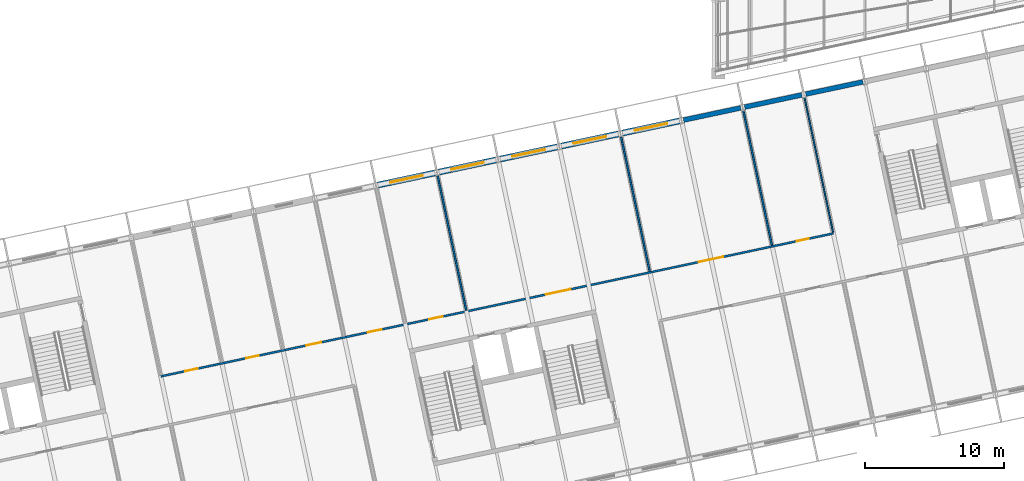
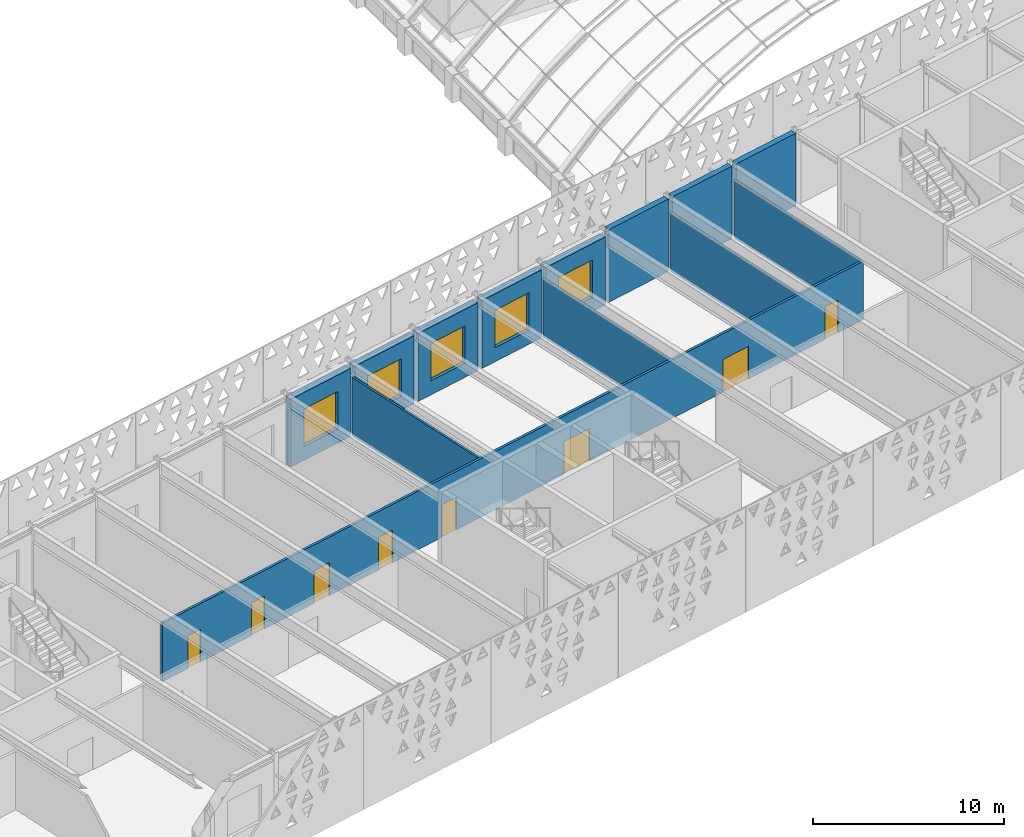
# One storey, part 131 of 182: 13 walls, 8 doors, 5 windows, 13 openings.
"""IFC4 building model written with IfcOpenShell, lengths in metres."""

from ifc_helpers import new_model, si_unit, direction, frame, frame_2d, origin, place, context, subcontext, project, spatial, rectangle, extrude, material, layer, layer_set, type_object, element, fill, save


model = new_model("IFC4")

# Units and contexts
model_context = context("Model", 3, precision=1e-05, world=origin(), true_north=direction((0.0, 1.0)))
body_context = subcontext(model_context, "Body", "Model", "MODEL_VIEW")
ifc_project = project(units=[si_unit("LENGTHUNIT", "METRE"), si_unit("AREAUNIT", "SQUARE_METRE"), si_unit("VOLUMEUNIT", "CUBIC_METRE"), si_unit("PLANEANGLEUNIT", "RADIAN"), si_unit("MASSUNIT", "GRAM", prefix="KILO")], contexts=[model_context])

# Site, building, storey
site_placement = place(None, origin())
site = spatial("IfcSite", under=ifc_project, at=site_placement, CompositionType="ELEMENT")
building_placement = place(site_placement, origin())
building = spatial("IfcBuilding", under=site, at=building_placement, Name="Okhra Congress Centre", CompositionType="ELEMENT")
storey_placement = place(building_placement, frame((0.0, 0.0, 7.199951171875)))
storey = spatial("IfcBuildingStorey", under=building, at=storey_placement, Name="L01", CompositionType="ELEMENT", Elevation=7.199951171875)

# Wall, opening, window
ifc_material_1 = material(Name="Insulated metal panel on steel stud (mineral wool, vapour barrier)", Category="steel")
ifc_layer_1 = layer(ifc_material_1, 0.449951171875)
ifc_layer_set_1 = layer_set([ifc_layer_1], Name="Insulated wall 450")
wall_type_1 = type_object("IfcWallType", Name="Insulated wall 450", PredefinedType="SOLIDWALL", material=ifc_layer_set_1)
wall_1_placement = place(storey_placement, frame((130.99609375, 66.22119140625, 0.0), z_axis=(0.0, 0.0, 1.0), x_axis=(0.978143927149, 0.207928972925, 0.0)))
wall_1 = element("IfcWall", 1, at=wall_1_placement, inside=storey, type_object=wall_type_1, Name="External wall N18 L01", PredefinedType="SOLIDWALL", context=body_context, shape_type="SweptSolid", body=[
    extrude(rectangle(XDim=4.199951171875, YDim=0.449951171875, at=frame_2d((2.10009765625, 0.0))), origin(), (0.0, 0.0, 1.0), 4.35009765625),
])
opening_1_placement = place(wall_1_placement, frame((0.89990234375, 0.0, 0.89990234375)))
opening_1 = element("IfcOpeningElement", 2, at=opening_1_placement, cuts=wall_1, Name="Opening WN22", PredefinedType="OPENING", context=body_context, shape_type="SweptSolid", body=[
    extrude(rectangle(XDim=2.39990234375, YDim=2.39990234375, at=frame_2d((1.199951171875, 1.199951171875))), frame((0.0, 0.23486328125, 0.0), z_axis=(0.0, -1.0, 0.0), x_axis=(1.0, 0.0, 0.0)), (0.0, 0.0, 1.0), 0.469970703125),
])
ifc_material_2 = material(Name="Thermally broken aluminium frame, triple glazing", Category="aluminium")
window_type = type_object("IfcWindowType", Name="Fixed window 2400x2400", PartitioningType="SINGLE_PANEL", PredefinedType="WINDOW", material=ifc_material_2)
window_1_placement = place(opening_1_placement, origin())
window_1 = element("IfcWindow", 3, at=window_1_placement, inside=storey, type_object=window_type, Name="BX.WIN.L01.54", OverallHeight=2.39990234375, OverallWidth=2.39990234375, PartitioningType="SINGLE_PANEL", PredefinedType="WINDOW", context=body_context, shape_type="SweptSolid", body=[
    extrude(rectangle(XDim=2.39990234375, YDim=2.39990234375, at=frame_2d((1.199951171875, 1.199951171875))), frame((0.0, 0.030029296875, 0.0), z_axis=(0.0, -1.0, 0.0), x_axis=(1.0, 0.0, 0.0)), (0.0, 0.0, 1.0), 0.06005859375),
])
fill(opening_1, window_1)

wall_2_placement = place(storey_placement, frame((135.397705078125, 67.15673828125, 0.0), z_axis=(0.0, 0.0, 1.0), x_axis=(0.978146440129, 0.207917150959, 0.0)))
wall_2 = element("IfcWall", 4, at=wall_2_placement, inside=storey, type_object=wall_type_1, Name="External wall N19 L01", PredefinedType="SOLIDWALL", context=body_context, shape_type="SweptSolid", body=[
    extrude(rectangle(XDim=4.2001953125, YDim=0.449951171875, at=frame_2d((2.10009765625, 0.0))), origin(), (0.0, 0.0, 1.0), 4.35009765625),
])
opening_2_placement = place(wall_2_placement, frame((0.89990234375, 0.0, 0.89990234375)))
opening_2 = element("IfcOpeningElement", 5, at=opening_2_placement, cuts=wall_2, Name="Opening WN22", PredefinedType="OPENING", context=body_context, shape_type="SweptSolid", body=[
    extrude(rectangle(XDim=2.39990234375, YDim=2.39990234375, at=frame_2d((1.199951171875, 1.199951171875))), frame((0.0, 0.23486328125, 0.0), z_axis=(0.0, -1.0, 0.0), x_axis=(1.0, 0.0, 0.0)), (0.0, 0.0, 1.0), 0.469970703125),
])
window_2_placement = place(opening_2_placement, origin())
window_2 = element("IfcWindow", 6, at=window_2_placement, inside=storey, type_object=window_type, Name="BX.WIN.L01.55", OverallHeight=2.39990234375, OverallWidth=2.39990234375, PartitioningType="SINGLE_PANEL", PredefinedType="WINDOW", context=body_context, shape_type="SweptSolid", body=[
    extrude(rectangle(XDim=2.39990234375, YDim=2.39990234375, at=frame_2d((1.199951171875, 1.199951171875))), frame((0.0, 0.030029296875, 0.0), z_axis=(0.0, -1.0, 0.0), x_axis=(1.0, 0.0, 0.0)), (0.0, 0.0, 1.0), 0.06005859375),
])
fill(opening_2, window_2)

wall_3_placement = place(storey_placement, frame((139.799560546875, 68.092529296875, 0.0), z_axis=(0.0, 0.0, 1.0), x_axis=(0.978155748334, 0.207873355681, 0.0)))
wall_3 = element("IfcWall", 7, at=wall_3_placement, inside=storey, type_object=wall_type_1, Name="External wall N20 L01", PredefinedType="SOLIDWALL", context=body_context, shape_type="SweptSolid", body=[
    extrude(rectangle(XDim=4.199951171875, YDim=0.449951171875, at=frame_2d((2.10009765625, 0.0))), origin(), (0.0, 0.0, 1.0), 4.35009765625),
])
opening_3_placement = place(wall_3_placement, frame((0.89990234375, 0.0, 0.89990234375)))
opening_3 = element("IfcOpeningElement", 8, at=opening_3_placement, cuts=wall_3, Name="Opening WN22", PredefinedType="OPENING", context=body_context, shape_type="SweptSolid", body=[
    extrude(rectangle(XDim=2.39990234375, YDim=2.39990234375, at=frame_2d((1.199951171875, 1.199951171875))), frame((0.0, 0.23486328125, 0.0), z_axis=(0.0, -1.0, 0.0), x_axis=(1.0, 0.0, 0.0)), (0.0, 0.0, 1.0), 0.469970703125),
])
window_3_placement = place(opening_3_placement, origin())
window_3 = element("IfcWindow", 9, at=window_3_placement, inside=storey, type_object=window_type, Name="BX.WIN.L01.56", OverallHeight=2.39990234375, OverallWidth=2.39990234375, PartitioningType="SINGLE_PANEL", PredefinedType="WINDOW", context=body_context, shape_type="SweptSolid", body=[
    extrude(rectangle(XDim=2.39990234375, YDim=2.39990234375, at=frame_2d((1.199951171875, 1.199951171875))), frame((0.0, 0.030029296875, 0.0), z_axis=(0.0, -1.0, 0.0), x_axis=(1.0, 0.0, 0.0)), (0.0, 0.0, 1.0), 0.06005859375),
])
fill(opening_3, window_3)

wall_4_placement = place(storey_placement, frame((144.201171875, 69.028076171875, 0.0), z_axis=(0.0, 0.0, 1.0), x_axis=(0.978143927149, 0.207928972925, 0.0)))
wall_4 = element("IfcWall", 10, at=wall_4_placement, inside=storey, type_object=wall_type_1, Name="External wall N21 L01", PredefinedType="SOLIDWALL", context=body_context, shape_type="SweptSolid", body=[
    extrude(rectangle(XDim=4.199951171875, YDim=0.449951171875, at=frame_2d((2.10009765625, 0.0))), origin(), (0.0, 0.0, 1.0), 4.35009765625),
])
opening_4_placement = place(wall_4_placement, frame((0.89990234375, 0.0, 0.89990234375)))
opening_4 = element("IfcOpeningElement", 11, at=opening_4_placement, cuts=wall_4, Name="Opening WN22", PredefinedType="OPENING", context=body_context, shape_type="SweptSolid", body=[
    extrude(rectangle(XDim=2.39990234375, YDim=2.39990234375, at=frame_2d((1.199951171875, 1.199951171875))), frame((0.0, 0.23486328125, 0.0), z_axis=(0.0, -1.0, 0.0), x_axis=(1.0, 0.0, 0.0)), (0.0, 0.0, 1.0), 0.469970703125),
])
window_4_placement = place(opening_4_placement, origin())
window_4 = element("IfcWindow", 12, at=window_4_placement, inside=storey, type_object=window_type, Name="BX.WIN.L01.57", OverallHeight=2.39990234375, OverallWidth=2.39990234375, PartitioningType="SINGLE_PANEL", PredefinedType="WINDOW", context=body_context, shape_type="SweptSolid", body=[
    extrude(rectangle(XDim=2.39990234375, YDim=2.39990234375, at=frame_2d((1.199951171875, 1.199951171875))), frame((0.0, 0.030029296875, 0.0), z_axis=(0.0, -1.0, 0.0), x_axis=(1.0, 0.0, 0.0)), (0.0, 0.0, 1.0), 0.06005859375),
])
fill(opening_4, window_4)

wall_5_placement = place(storey_placement, frame((148.602783203125, 69.963623046875, 0.0), z_axis=(0.0, 0.0, 1.0), x_axis=(0.978143927149, 0.207928972925, 0.0)))
wall_5 = element("IfcWall", 13, at=wall_5_placement, inside=storey, type_object=wall_type_1, Name="External wall N22 L01", PredefinedType="SOLIDWALL", context=body_context, shape_type="SweptSolid", body=[
    extrude(rectangle(XDim=4.199951171875, YDim=0.449951171875, at=frame_2d((2.10009765625, 0.0))), origin(), (0.0, 0.0, 1.0), 4.35009765625),
])
opening_5_placement = place(wall_5_placement, frame((0.89990234375, 0.0, 0.89990234375)))
opening_5 = element("IfcOpeningElement", 14, at=opening_5_placement, cuts=wall_5, Name="Opening WN22", PredefinedType="OPENING", context=body_context, shape_type="SweptSolid", body=[
    extrude(rectangle(XDim=2.39990234375, YDim=2.39990234375, at=frame_2d((1.199951171875, 1.199951171875))), frame((0.0, 0.23486328125, 0.0), z_axis=(0.0, -1.0, 0.0), x_axis=(1.0, 0.0, 0.0)), (0.0, 0.0, 1.0), 0.469970703125),
])
window_5_placement = place(opening_5_placement, origin())
window_5 = element("IfcWindow", 15, at=window_5_placement, inside=storey, type_object=window_type, Name="BX.WIN.L01.58", OverallHeight=2.39990234375, OverallWidth=2.39990234375, PartitioningType="SINGLE_PANEL", PredefinedType="WINDOW", context=body_context, shape_type="SweptSolid", body=[
    extrude(rectangle(XDim=2.39990234375, YDim=2.39990234375, at=frame_2d((1.199951171875, 1.199951171875))), frame((0.0, 0.030029296875, 0.0), z_axis=(0.0, -1.0, 0.0), x_axis=(1.0, 0.0, 0.0)), (0.0, 0.0, 1.0), 0.06005859375),
])
fill(opening_5, window_5)

# Walls
ifc_material_3 = material(Name="Gypsum board on steel studs", Category="steel")
ifc_layer_2 = layer(ifc_material_3, 0.10009765625)
ifc_layer_set_2 = layer_set([ifc_layer_2], Name="Partition 100 EI 45")
wall_type_2 = type_object("IfcWallType", Name="Partition 100 EI 45", PredefinedType="PARTITIONING", material=ifc_layer_set_2)
wall_6_placement = place(storey_placement, frame((161.707763671875, 72.51904296875, 0.0), z_axis=(0.0, 0.0, 1.0), x_axis=(0.20790935802, -0.978148096582, 0.0)))
element("IfcWall", 16, at=wall_6_placement, inside=storey, type_object=wall_type_2, Name="Partition N L01", PredefinedType="PARTITIONING", context=body_context, shape_type="SweptSolid", body=[
    extrude(rectangle(XDim=9.9248046875, YDim=0.10009765625, at=frame_2d((4.96240234375, 0.0))), origin(), (0.0, 0.0, 1.0), 3.75),
])
ifc_layer_3 = layer(ifc_material_3, 0.125)
ifc_layer_set_3 = layer_set([ifc_layer_3], Name="Partition 125")
wall_type_3 = type_object("IfcWallType", Name="Partition 125", PredefinedType="PARTITIONING", material=ifc_layer_set_3)
wall_7_placement = place(storey_placement, frame((135.2978515625, 66.905517578125, 0.0), z_axis=(0.0, 0.0, 1.0), x_axis=(0.20790935802, -0.978148096582, 0.0)))
element("IfcWall", 17, at=wall_7_placement, inside=storey, type_object=wall_type_3, Name="Partition N L01", PredefinedType="PARTITIONING", context=body_context, shape_type="SweptSolid", body=[
    extrude(rectangle(XDim=9.9248046875, YDim=0.125, at=frame_2d((4.96240234375, 0.0))), origin(), (0.0, 0.0, 1.0), 3.75),
])
wall_8_placement = place(storey_placement, frame((148.5029296875, 69.71240234375, 0.0), z_axis=(0.0, 0.0, 1.0), x_axis=(0.207904355568, -0.978149159861, 0.0)))
element("IfcWall", 18, at=wall_8_placement, inside=storey, type_object=wall_type_3, Name="Partition N L01", PredefinedType="PARTITIONING", context=body_context, shape_type="SweptSolid", body=[
    extrude(rectangle(XDim=9.925048828125, YDim=0.125, at=frame_2d((4.96240234375, 0.0))), origin(), (0.0, 0.0, 1.0), 3.75),
])
ifc_layer_4 = layer(ifc_material_3, 0.125)
ifc_layer_set_4 = layer_set([ifc_layer_4], Name="Partition 125 EI 45")
wall_type_4 = type_object("IfcWallType", Name="Partition 125 EI 45", PredefinedType="PARTITIONING", material=ifc_layer_set_4)
wall_9_placement = place(storey_placement, frame((157.30615234375, 71.58349609375, 0.0), z_axis=(0.0, 0.0, 1.0), x_axis=(0.20790935802, -0.978148096582, 0.0)))
element("IfcWall", 19, at=wall_9_placement, inside=storey, type_object=wall_type_4, Name="Partition N L01", PredefinedType="PARTITIONING", context=body_context, shape_type="SweptSolid", body=[
    extrude(rectangle(XDim=9.9248046875, YDim=0.125, at=frame_2d((4.96240234375, 0.0))), origin(), (0.0, 0.0, 1.0), 3.75),
])

# Wall, openings, doors
ifc_layer_5 = layer(ifc_material_3, 0.14990234375)
ifc_layer_set_5 = layer_set([ifc_layer_5], Name="Partition 150 EI 15")
wall_type_5 = type_object("IfcWallType", Name="Partition 150 EI 15", PredefinedType="PARTITIONING", material=ifc_layer_set_5)
wall_10_placement = place(storey_placement, frame((115.36865234375, 52.446044921875, 0.0), z_axis=(0.0, 0.0, 1.0), x_axis=(0.978147028863, 0.207914381239, 0.0)))
wall_10 = element("IfcWall", 20, at=wall_10_placement, inside=storey, type_object=wall_type_5, Name="Corridor wall N2 L01", PredefinedType="PARTITIONING", context=body_context, shape_type="SweptSolid", body=[
    extrude(rectangle(XDim=49.5, YDim=0.14990234375, at=frame_2d((24.75, 0.0))), origin(), (0.0, 0.0, 1.0), 3.75),
])
opening_6_placement = place(wall_10_placement, frame((1.800048828125, 0.0, 0.0)))
opening_6 = element("IfcOpeningElement", 21, at=opening_6_placement, cuts=wall_10, Name="Opening L01-141", PredefinedType="OPENING", context=body_context, shape_type="SweptSolid", body=[
    extrude(rectangle(XDim=0.89990234375, YDim=2.10009765625, at=frame_2d((0.449951171875, 1.050048828125))), frame((0.0, 0.0849609375, 0.0), z_axis=(0.0, -1.0, 0.0), x_axis=(1.0, 0.0, 0.0)), (0.0, 0.0, 1.0), 0.169921875),
])
opening_7_placement = place(wall_10_placement, frame((6.300048828125, 0.0, 0.0)))
opening_7 = element("IfcOpeningElement", 22, at=opening_7_placement, cuts=wall_10, Name="Opening L01-142", PredefinedType="OPENING", context=body_context, shape_type="SweptSolid", body=[
    extrude(rectangle(XDim=0.89990234375, YDim=2.10009765625, at=frame_2d((0.449951171875, 1.050048828125))), frame((0.0, 0.0849609375, 0.0), z_axis=(0.0, -1.0, 0.0), x_axis=(1.0, 0.0, 0.0)), (0.0, 0.0, 1.0), 0.169921875),
])
opening_8_placement = place(wall_10_placement, frame((10.699951171875, 0.0, 0.0)))
opening_8 = element("IfcOpeningElement", 23, at=opening_8_placement, cuts=wall_10, Name="Opening L01-143", PredefinedType="OPENING", context=body_context, shape_type="SweptSolid", body=[
    extrude(rectangle(XDim=1.10009765625, YDim=2.10009765625, at=frame_2d((0.550048828125, 1.050048828125))), frame((0.0, 0.0849609375, 0.0), z_axis=(0.0, -1.0, 0.0), x_axis=(1.0, 0.0, 0.0)), (0.0, 0.0, 1.0), 0.169921875),
])
opening_9_placement = place(wall_10_placement, frame((15.25, 0.0, 0.0)))
opening_9 = element("IfcOpeningElement", 24, at=opening_9_placement, cuts=wall_10, Name="Opening L01-144", PredefinedType="OPENING", context=body_context, shape_type="SweptSolid", body=[
    extrude(rectangle(XDim=1.0, YDim=2.10009765625, at=frame_2d((0.5, 1.050048828125))), frame((0.0, 0.0849609375, 0.0), z_axis=(0.0, -1.0, 0.0), x_axis=(1.0, 0.0, 0.0)), (0.0, 0.0, 1.0), 0.169921875),
])
opening_10_placement = place(wall_10_placement, frame((19.75, 0.0, 0.0)))
opening_10 = element("IfcOpeningElement", 25, at=opening_10_placement, cuts=wall_10, Name="Opening L01-145", PredefinedType="OPENING", context=body_context, shape_type="SweptSolid", body=[
    extrude(rectangle(XDim=1.0, YDim=2.10009765625, at=frame_2d((0.5, 1.050048828125))), frame((0.0, 0.0849609375, 0.0), z_axis=(0.0, -1.0, 0.0), x_axis=(1.0, 0.0, 0.0)), (0.0, 0.0, 1.0), 0.169921875),
])
opening_11_placement = place(wall_10_placement, frame((28.35009765625, 0.0, 0.0)))
opening_11 = element("IfcOpeningElement", 26, at=opening_11_placement, cuts=wall_10, Name="Opening L01-146", PredefinedType="OPENING", context=body_context, shape_type="SweptSolid", body=[
    extrude(rectangle(XDim=1.800048828125, YDim=2.10009765625, at=frame_2d((0.89990234375, 1.050048828125))), frame((0.0, 0.0849609375, 0.0), z_axis=(0.0, -1.0, 0.0), x_axis=(1.0, 0.0, 0.0)), (0.0, 0.0, 1.0), 0.169921875),
])
opening_12_placement = place(wall_10_placement, frame((39.60009765625, 0.0, 0.0)))
opening_12 = element("IfcOpeningElement", 27, at=opening_12_placement, cuts=wall_10, Name="Opening L01-147", PredefinedType="OPENING", context=body_context, shape_type="SweptSolid", body=[
    extrude(rectangle(XDim=1.800048828125, YDim=2.10009765625, at=frame_2d((0.89990234375, 1.050048828125))), frame((0.0, 0.0849609375, 0.0), z_axis=(0.0, -1.0, 0.0), x_axis=(1.0, 0.0, 0.0)), (0.0, 0.0, 1.0), 0.169921875),
])
opening_13_placement = place(wall_10_placement, frame((46.800048828125, 0.0, 0.0)))
opening_13 = element("IfcOpeningElement", 28, at=opening_13_placement, cuts=wall_10, Name="Opening L01-148", PredefinedType="OPENING", context=body_context, shape_type="SweptSolid", body=[
    extrude(rectangle(XDim=0.89990234375, YDim=2.10009765625, at=frame_2d((0.449951171875, 1.050048828125))), frame((0.0, 0.0849609375, 0.0), z_axis=(0.0, -1.0, 0.0), x_axis=(1.0, 0.0, 0.0)), (0.0, 0.0, 1.0), 0.169921875),
])
ifc_material_4 = material(Name="Timber door leaves in steel frame", Category="steel")
door_type_1 = type_object("IfcDoorType", Name="Double swing door 1800x2100", OperationType="NOTDEFINED", PredefinedType="DOOR", material=ifc_material_4)
door_1_placement = place(opening_11_placement, frame((1.800048828125, 0.0, 0.0), z_axis=(0.0, 0.0, 1.0), x_axis=(-1.0, 0.0, 0.0)))
door_1 = element("IfcDoor", 29, at=door_1_placement, inside=storey, type_object=door_type_1, Name="Door L01-146", OperationType="DOUBLE_DOOR_SINGLE_SWING", OverallHeight=2.10009765625, OverallWidth=1.800048828125, PredefinedType="DOOR", context=body_context, shape_type="SweptSolid", body=[
    extrude(rectangle(XDim=1.800048828125, YDim=2.10009765625, at=frame_2d((0.89990234375, 1.050048828125))), frame((0.0, 0.02490234375, 0.0), z_axis=(0.0, -1.0, 0.0), x_axis=(1.0, 0.0, 0.0)), (0.0, 0.0, 1.0), 0.050048828125),
])
fill(opening_11, door_1)
door_2_placement = place(opening_12_placement, frame((1.800048828125, 0.0, 0.0), z_axis=(0.0, 0.0, 1.0), x_axis=(-1.0, 0.0, 0.0)))
door_2 = element("IfcDoor", 30, at=door_2_placement, inside=storey, type_object=door_type_1, Name="Door L01-147", OperationType="DOUBLE_DOOR_SINGLE_SWING", OverallHeight=2.10009765625, OverallWidth=1.800048828125, PredefinedType="DOOR", context=body_context, shape_type="SweptSolid", body=[
    extrude(rectangle(XDim=1.800048828125, YDim=2.10009765625, at=frame_2d((0.89990234375, 1.050048828125))), frame((0.0, 0.02490234375, 0.0), z_axis=(0.0, -1.0, 0.0), x_axis=(1.0, 0.0, 0.0)), (0.0, 0.0, 1.0), 0.050048828125),
])
fill(opening_12, door_2)
ifc_material_5 = material(Name="Timber door leaf in steel frame", Category="steel")
door_type_2 = type_object("IfcDoorType", Name="Single swing door 1000x2100", OperationType="NOTDEFINED", PredefinedType="DOOR", material=ifc_material_5)
door_3_placement = place(opening_9_placement, origin())
door_3 = element("IfcDoor", 31, at=door_3_placement, inside=storey, type_object=door_type_2, Name="Door L01-144", OperationType="SINGLE_SWING_RIGHT", OverallHeight=2.10009765625, OverallWidth=1.0, PredefinedType="DOOR", context=body_context, shape_type="SweptSolid", body=[
    extrude(rectangle(XDim=1.0, YDim=2.10009765625, at=frame_2d((0.5, 1.050048828125))), frame((0.0, 0.02490234375, 0.0), z_axis=(0.0, -1.0, 0.0), x_axis=(1.0, 0.0, 0.0)), (0.0, 0.0, 1.0), 0.050048828125),
])
fill(opening_9, door_3)
door_4_placement = place(opening_10_placement, origin())
door_4 = element("IfcDoor", 32, at=door_4_placement, inside=storey, type_object=door_type_2, Name="Door L01-145", OperationType="SINGLE_SWING_LEFT", OverallHeight=2.10009765625, OverallWidth=1.0, PredefinedType="DOOR", context=body_context, shape_type="SweptSolid", body=[
    extrude(rectangle(XDim=1.0, YDim=2.10009765625, at=frame_2d((0.5, 1.050048828125))), frame((0.0, 0.02490234375, 0.0), z_axis=(0.0, -1.0, 0.0), x_axis=(1.0, 0.0, 0.0)), (0.0, 0.0, 1.0), 0.050048828125),
])
fill(opening_10, door_4)
door_type_3 = type_object("IfcDoorType", Name="Single swing door 1100x2100", OperationType="NOTDEFINED", PredefinedType="DOOR", material=ifc_material_5)
door_5_placement = place(opening_8_placement, origin())
door_5 = element("IfcDoor", 33, at=door_5_placement, inside=storey, type_object=door_type_3, Name="Door L01-143", OperationType="SINGLE_SWING_LEFT", OverallHeight=2.10009765625, OverallWidth=1.10009765625, PredefinedType="DOOR", context=body_context, shape_type="SweptSolid", body=[
    extrude(rectangle(XDim=1.10009765625, YDim=2.10009765625, at=frame_2d((0.550048828125, 1.050048828125))), frame((0.0, 0.02490234375, 0.0), z_axis=(0.0, -1.0, 0.0), x_axis=(1.0, 0.0, 0.0)), (0.0, 0.0, 1.0), 0.050048828125),
])
fill(opening_8, door_5)
door_type_4 = type_object("IfcDoorType", Name="Single swing door 900x2100", OperationType="NOTDEFINED", PredefinedType="DOOR", material=ifc_material_5)
door_6_placement = place(opening_6_placement, origin())
door_6 = element("IfcDoor", 34, at=door_6_placement, inside=storey, type_object=door_type_4, Name="Door L01-141", OperationType="SINGLE_SWING_LEFT", OverallHeight=2.10009765625, OverallWidth=0.89990234375, PredefinedType="DOOR", context=body_context, shape_type="SweptSolid", body=[
    extrude(rectangle(XDim=0.89990234375, YDim=2.10009765625, at=frame_2d((0.449951171875, 1.050048828125))), frame((0.0, 0.02490234375, 0.0), z_axis=(0.0, -1.0, 0.0), x_axis=(1.0, 0.0, 0.0)), (0.0, 0.0, 1.0), 0.050048828125),
])
fill(opening_6, door_6)
door_7_placement = place(opening_7_placement, origin())
door_7 = element("IfcDoor", 35, at=door_7_placement, inside=storey, type_object=door_type_4, Name="Door L01-142", OperationType="SINGLE_SWING_RIGHT", OverallHeight=2.10009765625, OverallWidth=0.89990234375, PredefinedType="DOOR", context=body_context, shape_type="SweptSolid", body=[
    extrude(rectangle(XDim=0.89990234375, YDim=2.10009765625, at=frame_2d((0.449951171875, 1.050048828125))), frame((0.0, 0.02490234375, 0.0), z_axis=(0.0, -1.0, 0.0), x_axis=(1.0, 0.0, 0.0)), (0.0, 0.0, 1.0), 0.050048828125),
])
fill(opening_7, door_7)
ifc_material_6 = material(Name="Steel fire door leaf in steel frame, intumescent seals", Category="steel")
door_type_5 = type_object("IfcDoorType", Name="Steel fire door 900x2100 EI 30", OperationType="NOTDEFINED", PredefinedType="DOOR", material=ifc_material_6)
door_8_placement = place(opening_13_placement, origin())
door_8 = element("IfcDoor", 36, at=door_8_placement, inside=storey, type_object=door_type_5, Name="Door L01-148", OperationType="SINGLE_SWING_RIGHT", OverallHeight=2.10009765625, OverallWidth=0.89990234375, PredefinedType="DOOR", context=body_context, shape_type="SweptSolid", body=[
    extrude(rectangle(XDim=0.89990234375, YDim=2.10009765625, at=frame_2d((0.449951171875, 1.050048828125))), frame((0.0, 0.02490234375, 0.0), z_axis=(0.0, -1.0, 0.0), x_axis=(1.0, 0.0, 0.0)), (0.0, 0.0, 1.0), 0.050048828125),
])
fill(opening_13, door_8)

# Walls
ifc_material_7 = material(Name="Concrete C30/37", Category="concrete")
ifc_layer_6 = layer(ifc_material_7, 0.35009765625)
ifc_layer_set_6 = layer_set([ifc_layer_6], Name="RC fire wall 350 REI 150 C30/37")
wall_type_6 = type_object("IfcWallType", Name="RC fire wall 350 REI 150 C30/37", PredefinedType="SOLIDWALL", material=ifc_layer_set_6)
wall_11_placement = place(storey_placement, frame((153.00439453125, 70.899169921875, 0.0), z_axis=(0.0, 0.0, 1.0), x_axis=(0.978143927149, 0.207928972925, 0.0)))
element("IfcWall", 37, at=wall_11_placement, inside=storey, type_object=wall_type_6, Name="Fire wall N23 L01", PredefinedType="SOLIDWALL", context=body_context, shape_type="SweptSolid", body=[
    extrude(rectangle(XDim=4.199951171875, YDim=0.35009765625, at=frame_2d((2.10009765625, 0.0))), origin(), (0.0, 0.0, 1.0), 4.650146484375),
])
wall_12_placement = place(storey_placement, frame((157.406005859375, 71.834716796875, 0.0), z_axis=(0.0, 0.0, 1.0), x_axis=(0.978146440129, 0.207917150959, 0.0)))
element("IfcWall", 38, at=wall_12_placement, inside=storey, type_object=wall_type_6, Name="Fire wall N24 L01", PredefinedType="SOLIDWALL", context=body_context, shape_type="SweptSolid", body=[
    extrude(rectangle(XDim=4.2001953125, YDim=0.35009765625, at=frame_2d((2.10009765625, 0.0))), origin(), (0.0, 0.0, 1.0), 4.650146484375),
])
wall_13_placement = place(storey_placement, frame((161.807861328125, 72.7705078125, 0.0), z_axis=(0.0, 0.0, 1.0), x_axis=(0.978155748334, 0.207873355681, 0.0)))
element("IfcWall", 39, at=wall_13_placement, inside=storey, type_object=wall_type_6, Name="Fire wall N25 L01", PredefinedType="SOLIDWALL", context=body_context, shape_type="SweptSolid", body=[
    extrude(rectangle(XDim=4.199951171875, YDim=0.35009765625, at=frame_2d((2.10009765625, 0.0))), origin(), (0.0, 0.0, 1.0), 4.650146484375),
])

save(model, "model.ifc")
